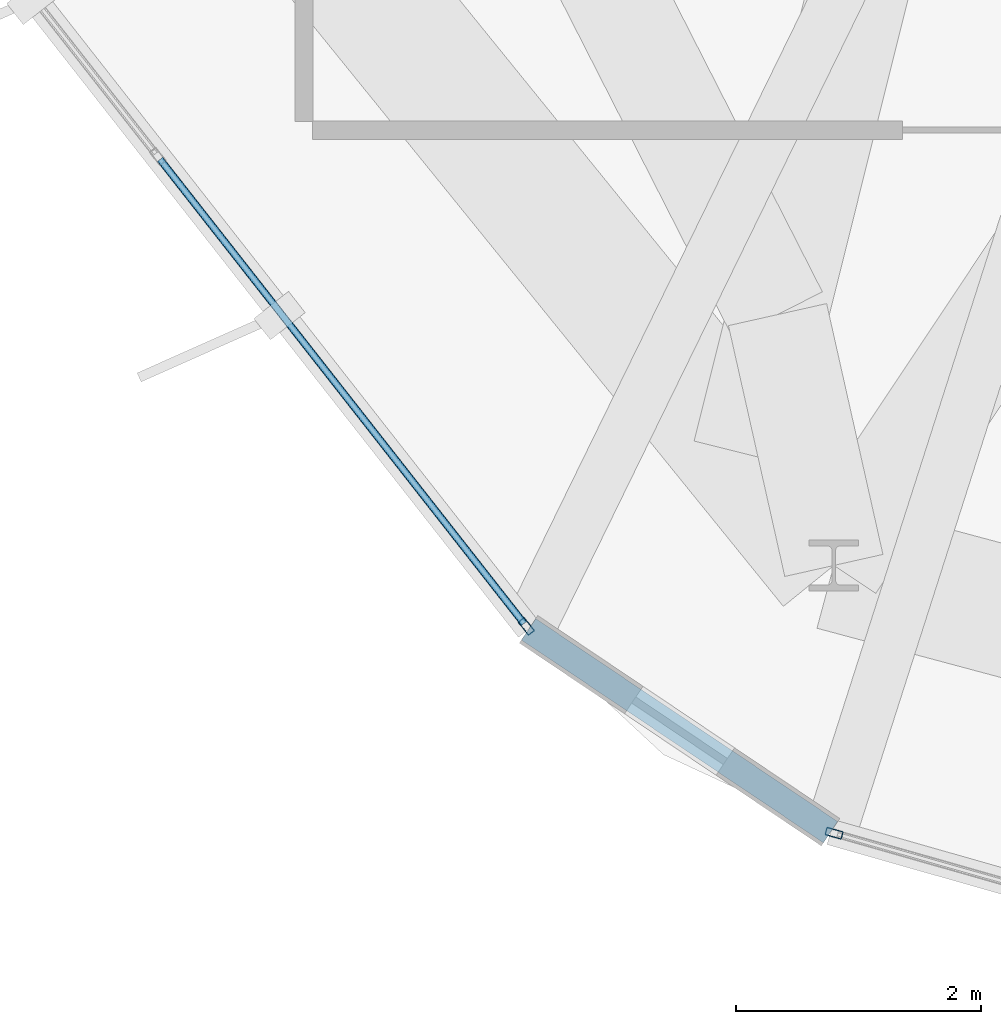
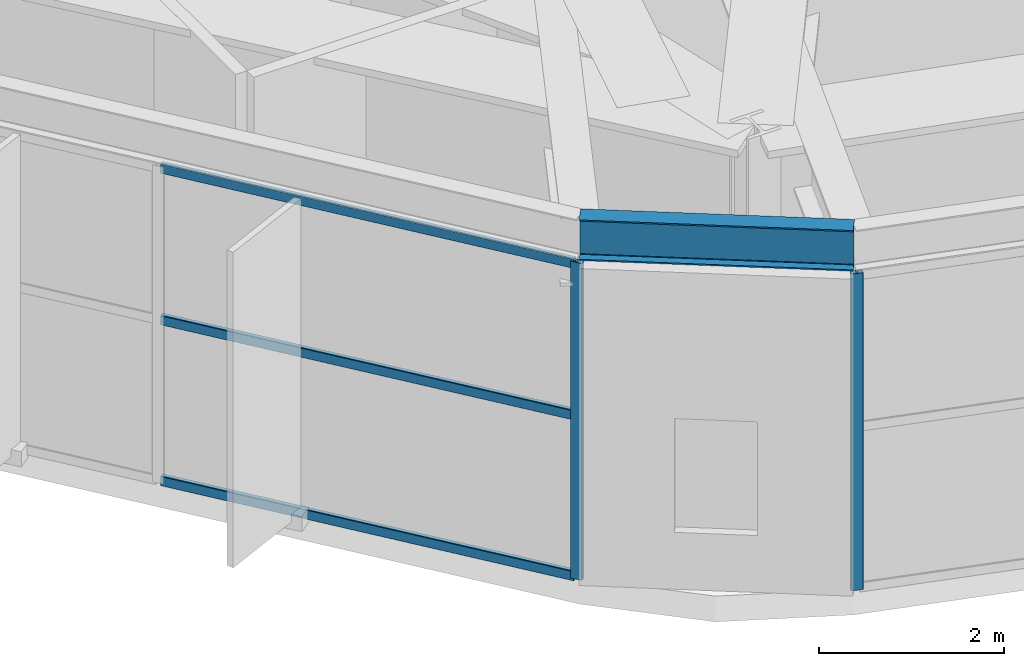
# One storey, part 2 of 30: 5 members, 1 beam, 2 elements without a shape of their own.
"""IFC4 building model written with IfcOpenShell, lengths in metres."""

from ifc_helpers import new_model, si_unit, direction, frame, origin, origin_2d, place, context, subcontext, project, spatial, hollow_rectangle, i_section, extrude, material, layer, layer_set, material_profile, profile_set, type_object, element, aggregate, save


model = new_model("IFC4")

# Units and contexts
model_context = context("Model", 3, precision=1e-05, world=origin(), true_north=direction((0.0, 1.0)))
body_context = subcontext(model_context, "Body", "Model", "MODEL_VIEW")
ifc_project = project(units=[si_unit("LENGTHUNIT", "METRE"), si_unit("AREAUNIT", "SQUARE_METRE"), si_unit("VOLUMEUNIT", "CUBIC_METRE"), si_unit("PLANEANGLEUNIT", "RADIAN"), si_unit("MASSUNIT", "GRAM", prefix="KILO")], contexts=[model_context])

# Site, building, storey
site_placement = place(None, origin())
site = spatial("IfcSite", under=ifc_project, at=site_placement, CompositionType="ELEMENT")
building_placement = place(site_placement, origin())
building = spatial("IfcBuilding", under=site, at=building_placement, Name="Soratama Intermodal Tower", CompositionType="ELEMENT")
storey_placement = place(building_placement, frame((0.0, 0.0, 237.39990234375)))
storey = spatial("IfcBuildingStorey", under=building, at=storey_placement, Name="L60", CompositionType="ELEMENT", Elevation=237.39990234375)

# Beam
ifc_material_1 = material(Name="Structural steel ASTM A992 Grade 50", Category="steel")
ifc_material_profile_1 = material_profile(ifc_material_1, i_section(OverallWidth=0.2099609375, OverallDepth=0.537109375, WebThickness=0.010986328125, FlangeThickness=0.017333984375, FilletRadius=0.012939453125, at=origin_2d()), Name="W21X68")
ifc_profile_set_1 = profile_set([ifc_material_profile_1], Name="Structural steel ASTM A992 Grade 50")
beam_type = type_object("IfcBeamType", Name="BM-SPN-W21X68", PredefinedType="SPANDREL", material=ifc_profile_set_1)
beam_placement = place(storey_placement, frame((32.381103515625, 8.8798828125, 4.531494140625), z_axis=(0.830094847726, -0.557622223175, 0.0), x_axis=(0.557622223175, 0.830094847726, 0.0)))
element("IfcBeam", 1, at=beam_placement, inside=storey, type_object=beam_type, Name="BS-L60-CRN05", PredefinedType="SPANDREL", context=body_context, shape_type="SweptSolid", body=[
    extrude(i_section(OverallWidth=0.2099609375, OverallDepth=0.537109375, WebThickness=0.010986328125, FlangeThickness=0.017333984375, FilletRadius=0.012939453125, at=origin_2d()), origin(), (0.0, 0.0, 1.0), 2.9658203125),
])

# Curtain wall, member
ifc_material_2 = material(Name="Double-glazed aluminium curtain wall", Category="aluminium")
ifc_layer = layer(ifc_material_2, 0.159912109375)
ifc_layer_set = layer_set([ifc_layer], Name="Double-glazed aluminium curtain wall")
curtain_wall_type = type_object("IfcCurtainWallType", Name="CW-SYS-5", PredefinedType="NOTDEFINED", material=ifc_layer_set)
curtain_wall_1_placement = place(storey_placement, origin())
curtain_wall_1 = element("IfcCurtainWall", 2, at=curtain_wall_1_placement, inside=storey, type_object=curtain_wall_type, Name="L60 Faceted Curtain Wall F05", PredefinedType="NOTDEFINED")
ifc_material_3 = material(Name="Anodised aluminium AA 6063-T6", Category="aluminium")
ifc_material_profile_2 = material_profile(ifc_material_3, hollow_rectangle(XDim=0.06494140625, YDim=0.139892578125, WallThickness=0.0048828125, InnerFilletRadius=0.0048828125, OuterFilletRadius=0.010009765625, at=origin_2d()), Name="CWM140X65X5")
ifc_profile_set_2 = profile_set([ifc_material_profile_2], Name="Anodised aluminium AA 6063-T6")
member_type_1 = type_object("IfcMemberType", Name="MT-CWM-5", PredefinedType="MULLION", material=ifc_profile_set_2)
member_1_placement = place(storey_placement, frame((32.3623046875, 8.90380859375, 0.0), z_axis=(0.0, 0.0, 1.0), x_axis=(0.786934557535, 0.617036467446, 0.0)))
member_1 = element("IfcMember", 3, at=member_1_placement, type_object=member_type_1, Name="CW-5 mullion 3", PredefinedType="MULLION", context=body_context, shape_type="SweptSolid", body=[
    extrude(hollow_rectangle(XDim=0.06494140625, YDim=0.139892578125, WallThickness=0.0048828125, InnerFilletRadius=0.0048828125, OuterFilletRadius=0.010009765625, at=origin_2d()), origin(), (0.0, 0.0, 1.0), 4.17919921875),
])

curtain_wall_2_placement = place(storey_placement, origin())
curtain_wall_2 = element("IfcCurtainWall", 4, at=curtain_wall_2_placement, inside=storey, type_object=curtain_wall_type, Name="L60 Faceted Curtain Wall F06", PredefinedType="NOTDEFINED")
member_2_placement = place(storey_placement, frame((34.8720703125, 7.21728515625, 0.0), z_axis=(0.0, 0.0, 1.0), x_axis=(0.273963449119, 0.96174010447, 0.0)))
member_2 = element("IfcMember", 5, at=member_2_placement, type_object=member_type_1, Name="CW-5 mullion 1", PredefinedType="MULLION", context=body_context, shape_type="SweptSolid", body=[
    extrude(hollow_rectangle(XDim=0.06494140625, YDim=0.139892578125, WallThickness=0.0048828125, InnerFilletRadius=0.0048828125, OuterFilletRadius=0.010009765625, at=origin_2d()), origin(), (0.0, 0.0, 1.0), 4.17919921875),
])
aggregate(curtain_wall_2, [member_2])

# Member
ifc_material_4 = material(Name="Anodised aluminium AA 6063-T6", Category="aluminium")
ifc_material_profile_3 = material_profile(ifc_material_4, hollow_rectangle(XDim=0.06005859375, YDim=0.1298828125, WallThickness=0.0048828125, InnerFilletRadius=0.0048828125, OuterFilletRadius=0.010009765625, at=origin_2d()), Name="CWT130X60X5")
ifc_profile_set_3 = profile_set([ifc_material_profile_3], Name="Anodised aluminium AA 6063-T6")
member_type_2 = type_object("IfcMemberType", Name="TT-CWT-2", PredefinedType="USERDEFINED", material=ifc_profile_set_3)
member_3_placement = place(storey_placement, frame((29.37646484375, 12.71142578125, 0.030029296875), z_axis=(0.617049945873, -0.786923988895, 0.0), x_axis=(0.786923988895, 0.617049945873, 0.0)))
member_3 = element("IfcMember", 6, at=member_3_placement, type_object=member_type_2, Name="CW-5 transom 2.1", ObjectType="TRANSOM", PredefinedType="USERDEFINED", context=body_context, shape_type="SweptSolid", body=[
    extrude(hollow_rectangle(XDim=0.06005859375, YDim=0.1298828125, WallThickness=0.0048828125, InnerFilletRadius=0.0048828125, OuterFilletRadius=0.010009765625, at=origin_2d()), origin(), (0.0, 0.0, 1.0), 4.808837890625),
])

member_4_placement = place(storey_placement, frame((29.37646484375, 12.71142578125, 2.150146484375), z_axis=(0.617049945873, -0.786923988895, 0.0), x_axis=(0.786923988895, 0.617049945873, 0.0)))
member_4 = element("IfcMember", 7, at=member_4_placement, type_object=member_type_2, Name="CW-5 transom 2.2", ObjectType="TRANSOM", PredefinedType="USERDEFINED", context=body_context, shape_type="SweptSolid", body=[
    extrude(hollow_rectangle(XDim=0.06005859375, YDim=0.1298828125, WallThickness=0.0048828125, InnerFilletRadius=0.0048828125, OuterFilletRadius=0.010009765625, at=origin_2d()), origin(), (0.0, 0.0, 1.0), 4.808837890625),
])

member_5_placement = place(storey_placement, frame((29.37646484375, 12.71142578125, 4.149169921875), z_axis=(0.617049945873, -0.786923988895, 0.0), x_axis=(0.786923988895, 0.617049945873, 0.0)))
member_5 = element("IfcMember", 8, at=member_5_placement, type_object=member_type_2, Name="CW-5 transom 2.3", ObjectType="TRANSOM", PredefinedType="USERDEFINED", context=body_context, shape_type="SweptSolid", body=[
    extrude(hollow_rectangle(XDim=0.06005859375, YDim=0.1298828125, WallThickness=0.0048828125, InnerFilletRadius=0.0048828125, OuterFilletRadius=0.010009765625, at=origin_2d()), origin(), (0.0, 0.0, 1.0), 4.808837890625),
])

aggregate(curtain_wall_1, [member_1, member_3, member_4, member_5])

save(model, "model.ifc")
